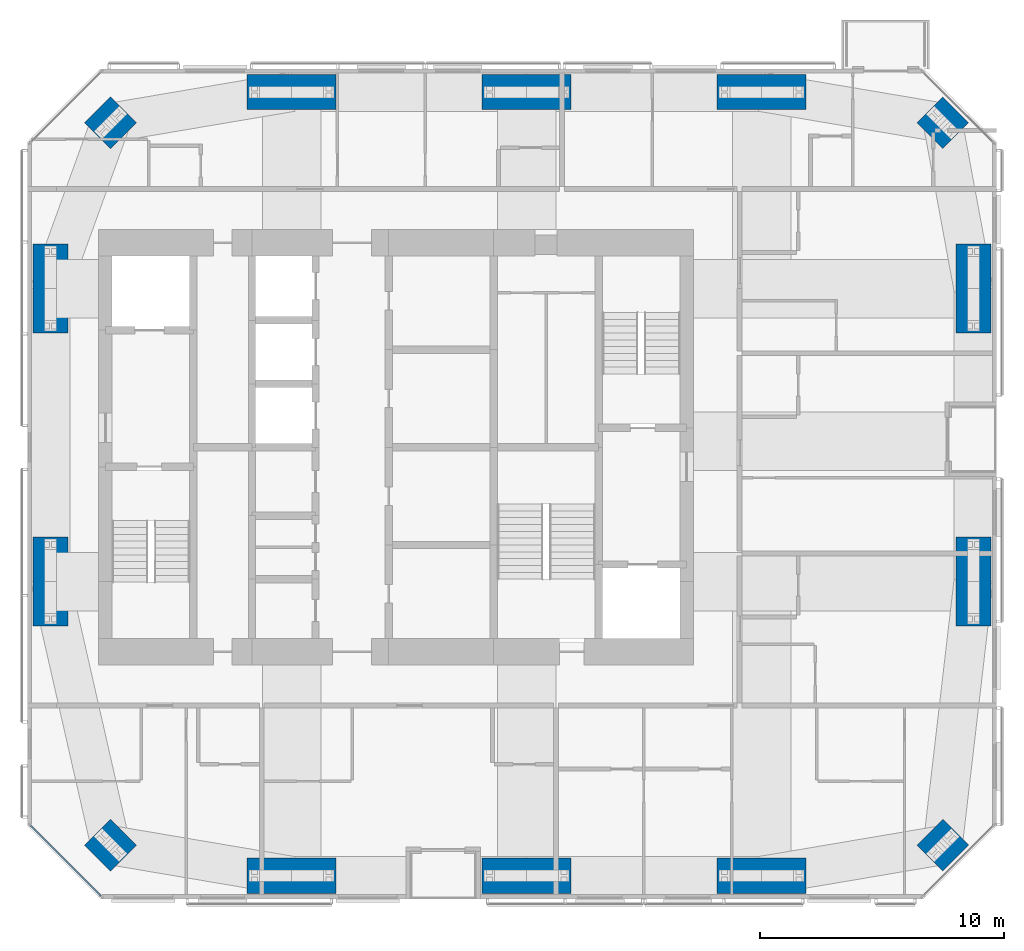
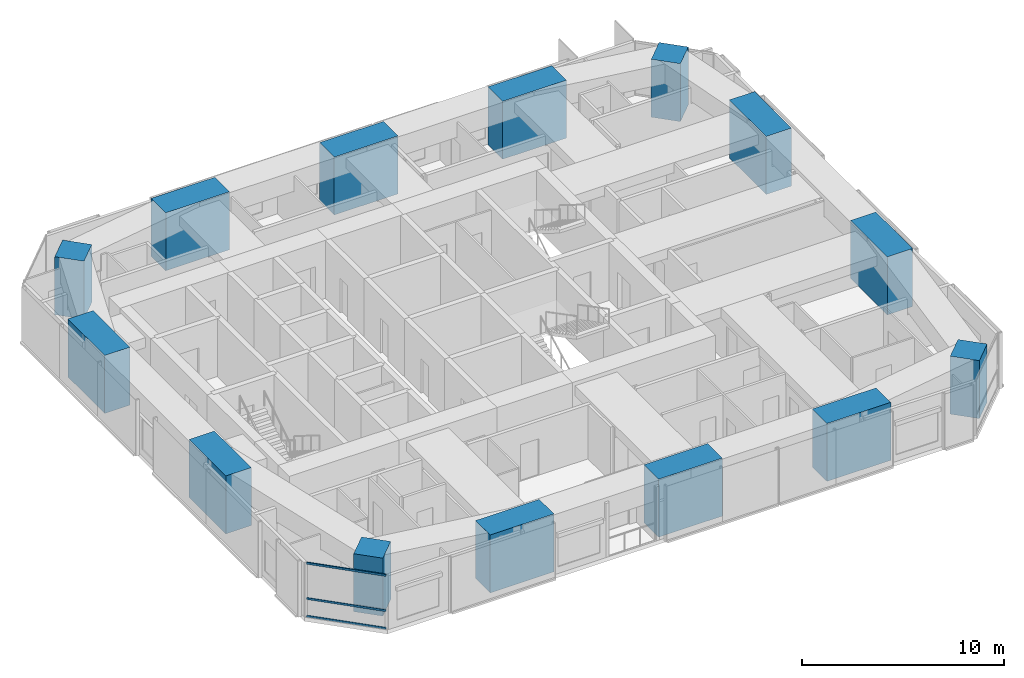
# One storey, part 1 of 19: 14 columns, 3 members, 1 element without a shape of its own.
"""IFC4 building model written with IfcOpenShell, lengths in metres."""

from ifc_helpers import new_model, si_unit, direction, frame, origin, origin_2d, place, context, subcontext, project, spatial, rectangle, extrude, material, material_profile, profile_set, type_object, element, aggregate, save


model = new_model("IFC4")

# Units and contexts
model_context = context("Model", 3, precision=1e-05, world=origin(), true_north=direction((0.0, 1.0)))
body_context = subcontext(model_context, "Body", "Model", "MODEL_VIEW")
ifc_project = project(units=[si_unit("LENGTHUNIT", "METRE"), si_unit("AREAUNIT", "SQUARE_METRE"), si_unit("VOLUMEUNIT", "CUBIC_METRE"), si_unit("PLANEANGLEUNIT", "RADIAN"), si_unit("MASSUNIT", "GRAM", prefix="KILO")], contexts=[model_context])

# Site, building, storey
site_placement = place(None, origin())
site = spatial("IfcSite", under=ifc_project, at=site_placement, CompositionType="ELEMENT")
building_placement = place(site_placement, origin())
building = spatial("IfcBuilding", under=site, at=building_placement, Name="Jalousie Tower", CompositionType="ELEMENT")
storey_placement = place(building_placement, frame((0.0, 0.0, 224.949951171875)))
storey = spatial("IfcBuildingStorey", under=building, at=storey_placement, Name="L61", CompositionType="ELEMENT", Elevation=224.949951171875)

# Columns
ifc_material_1 = material(Name="Concrete f'c 120 MPa", Category="concrete")
ifc_material_profile_1 = material_profile(ifc_material_1, rectangle(XDim=1.449951171875, YDim=3.64990234375, at=origin_2d()), Name="RC 1450x3650")
ifc_profile_set_1 = profile_set([ifc_material_profile_1], Name="Concrete f'c 120 MPa")
column_type_1 = type_object("IfcColumnType", Name="RC COLUMN 1450x3650", PredefinedType="COLUMN", material=ifc_profile_set_1)
for number, where, z_axis, x_axis, name in (
    (1, (27.625, 0.949951171875, 0.0), (0.0, 0.0, 1.0), (0.0, 1.0, 0.0), "Column 02 L61"),
    (2, (37.25, 0.949951171875, 0.0), (0.0, 0.0, 1.0), (0.0, 1.0, 0.0), "Column 03 L61"),
    (3, (46.875, 0.949951171875, 0.0), (0.0, 0.0, 1.0), (0.0, 1.0, 0.0), "Column 04 L61"),
    (4, (55.550048828125, 13.0, 0.0), (0.0, 0.0, 1.0), (1.0, 0.0, 0.0), "Column 06 L61"),
    (5, (55.550048828125, 25.0, 0.0), (0.0, 0.0, 1.0), (1.0, 0.0, 0.0), "Column 07 L61"),
    (6, (46.875, 33.050048828125, 0.0), (0.0, 0.0, 1.0), (0.0, 1.0, 0.0), "Column 09 L61"),
    (7, (37.25, 33.050048828125, 0.0), (0.0, 0.0, 1.0), (0.0, 1.0, 0.0), "Column 10 L61"),
    (8, (27.625, 33.050048828125, 0.0), (0.0, 0.0, 1.0), (0.0, 1.0, 0.0), "Column 11 L61"),
    (9, (17.75, 25.0, 0.0), (0.0, 0.0, 1.0), (1.0, 0.0, 0.0), "Column 13 L61"),
    (10, (17.75, 13.0, 0.0), (0.0, 0.0, 1.0), (1.0, 0.0, 0.0), "Column 14 L61"),
):
    element("IfcColumn", number, at=place(storey_placement, frame(where, z_axis=z_axis, x_axis=x_axis)), inside=storey, type_object=column_type_1, Name=name, PredefinedType="COLUMN", context=body_context, shape_type="SweptSolid", body=[
        extrude(rectangle(XDim=1.449951171875, YDim=3.64990234375, at=origin_2d()), origin(), (0.0, 0.0, 1.0), 3.5),
    ])
ifc_material_2 = material(Name="Concrete f'c 120 MPa", Category="concrete")
ifc_material_profile_2 = material_profile(ifc_material_2, rectangle(XDim=1.5, YDim=1.5, at=origin_2d()), Name="RC 1500x1500")
ifc_profile_set_2 = profile_set([ifc_material_profile_2], Name="Concrete f'c 120 MPa")
column_type_2 = type_object("IfcColumnType", Name="RC COLUMN 1500x1500", PredefinedType="COLUMN", material=ifc_profile_set_2)
for number, where, z_axis, x_axis, name in (
    (11, (20.20703125, 2.20703125, 0.0), (0.0, 0.0, 1.0), (0.707106781187, 0.707106781187, 0.0), "Column 01 L61"),
    (12, (54.29296875, 2.20703125, 0.0), (0.0, 0.0, 1.0), (0.707106781187, 0.707106781187, 0.0), "Column 05 L61"),
    (13, (54.29296875, 31.79296875, 0.0), (0.0, 0.0, 1.0), (0.707106781187, 0.707106781187, 0.0), "Column 08 L61"),
    (14, (20.20703125, 31.79296875, 0.0), (0.0, 0.0, 1.0), (0.707106781187, 0.707106781187, 0.0), "Column 12 L61"),
):
    element("IfcColumn", number, at=place(storey_placement, frame(where, z_axis=z_axis, x_axis=x_axis)), inside=storey, type_object=column_type_2, Name=name, PredefinedType="COLUMN", context=body_context, shape_type="SweptSolid", body=[
        extrude(rectangle(XDim=1.5, YDim=1.5, at=origin_2d()), origin(), (0.0, 0.0, 1.0), 3.5),
    ])

# Curtain wall, members
ifc_material_3 = material(Name="Aluminium curtain wall", Category="aluminium")
curtain_wall_type = type_object("IfcCurtainWallType", Name="CORNER WINDOW WALL", PredefinedType="USERDEFINED", material=ifc_material_3)
curtain_wall_placement = place(storey_placement, origin())
curtain_wall = element("IfcCurtainWall", 15, at=curtain_wall_placement, inside=storey, type_object=curtain_wall_type, Name="Corner Window Wall L61 8", ObjectType="CORNER WINDOW WALL", PredefinedType="USERDEFINED")
ifc_material_4 = material(Name="Aluminium transom", Category="aluminium")
ifc_material_profile_3 = material_profile(ifc_material_4, rectangle(XDim=0.06005859375, YDim=0.1201171875, at=origin_2d()), Name="TRANSOM 60x120")
ifc_profile_set_3 = profile_set([ifc_material_profile_3], Name="Aluminium transom")
member_type = type_object("IfcMemberType", Name="CORNER WINDOW WALL TRANSOM", PredefinedType="USERDEFINED", material=ifc_profile_set_3)
member_1_placement = place(storey_placement, frame((16.929931640625, 3.0087890625, 0.030029296875), z_axis=(0.707106781187, -0.707106781187, 0.0), x_axis=(0.707106781187, 0.707106781187, 0.0)))
member_1 = element("IfcMember", 16, at=member_1_placement, type_object=member_type, Name="CW-C transom 1.1", ObjectType="TRANSOM", PredefinedType="USERDEFINED", context=body_context, shape_type="SweptSolid", body=[
    extrude(rectangle(XDim=0.06005859375, YDim=0.1201171875, at=origin_2d()), origin(), (0.0, 0.0, 1.0), 4.0712890625),
])
member_2_placement = place(storey_placement, frame((16.929931640625, 3.0087890625, 1.10009765625), z_axis=(0.707106781187, -0.707106781187, 0.0), x_axis=(0.707106781187, 0.707106781187, 0.0)))
member_2 = element("IfcMember", 17, at=member_2_placement, type_object=member_type, Name="CW-C transom 1.2", ObjectType="TRANSOM", PredefinedType="USERDEFINED", context=body_context, shape_type="SweptSolid", body=[
    extrude(rectangle(XDim=0.06005859375, YDim=0.1201171875, at=origin_2d()), origin(), (0.0, 0.0, 1.0), 4.0712890625),
])
member_3_placement = place(storey_placement, frame((16.929931640625, 3.0087890625, 3.22998046875), z_axis=(0.707106781187, -0.707106781187, 0.0), x_axis=(0.707106781187, 0.707106781187, 0.0)))
member_3 = element("IfcMember", 18, at=member_3_placement, type_object=member_type, Name="CW-C transom 1.3", ObjectType="TRANSOM", PredefinedType="USERDEFINED", context=body_context, shape_type="SweptSolid", body=[
    extrude(rectangle(XDim=0.06005859375, YDim=0.1201171875, at=origin_2d()), origin(), (0.0, 0.0, 1.0), 4.0712890625),
])
aggregate(curtain_wall, [member_1, member_2, member_3])

save(model, "model.ifc")
